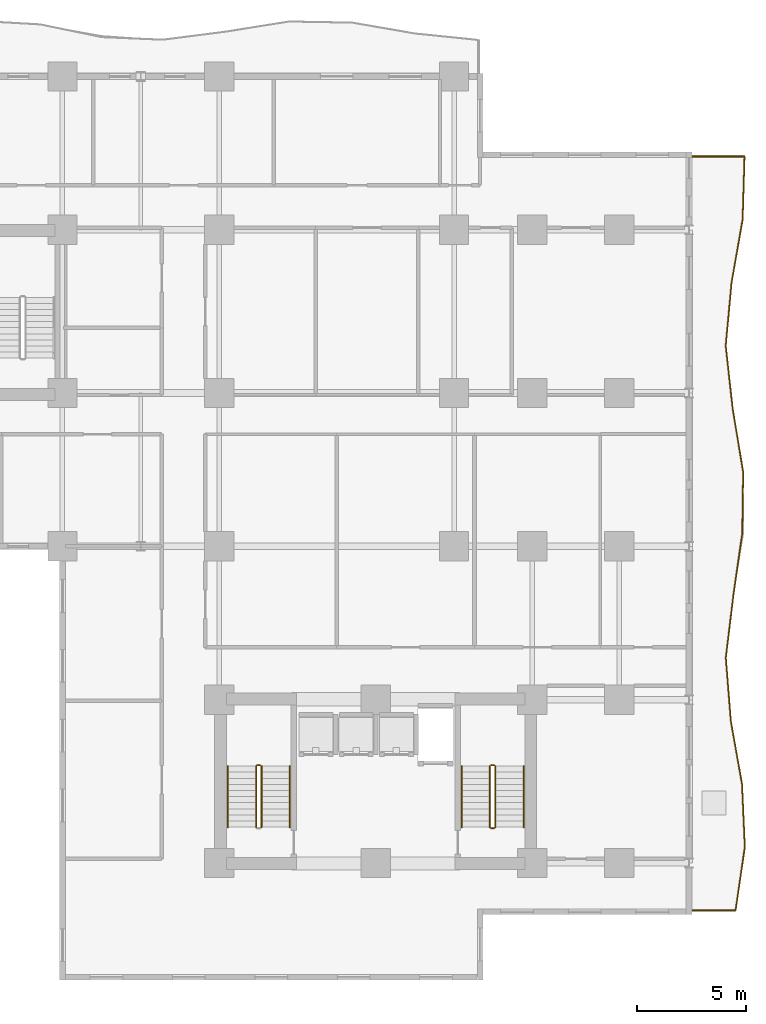
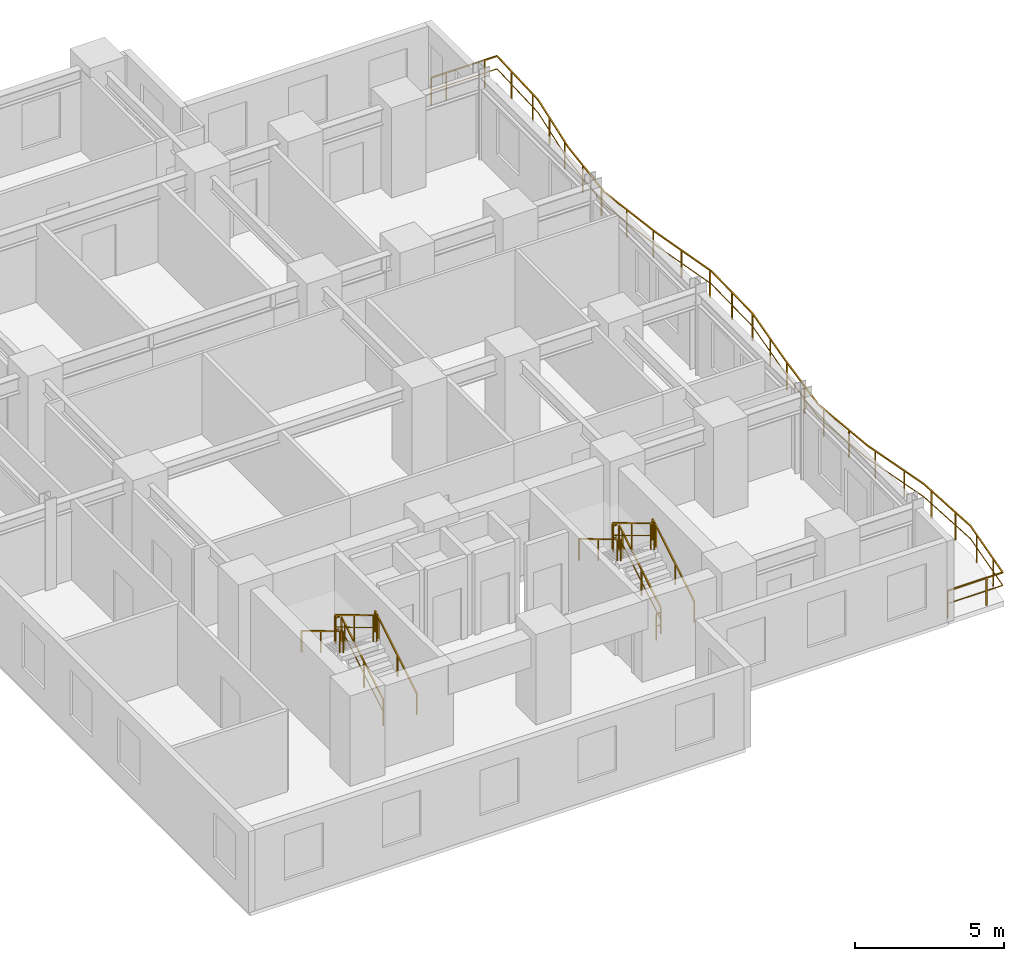
# One storey, part 10 of 12: 12 railings.
"""IFC4 building model written with IfcOpenShell, lengths in metres."""

import ifcopenshell
import ifcopenshell.guid

model = None  # the IFC model being written
_history = None  # IfcOwnerHistory: only IFC2X3 demands one
_inside = {}  # id of a spatial element -> (the spatial element, [elements in it])
_under = {}  # id of a project, library or spatial element -> (it, [spatial elements below it])
_declared = {}  # id of a project -> (the project, [libraries it declares])
_typed = {}  # id of a type object -> (the type object, [elements of that type])
_made_of = {}  # id of a material, layer set ... -> (it, [elements and type objects made of it])


def new_model(schema):
    """Start an empty IFC model of exactly this schema.

    Asked for "IFC4X3", IfcOpenShell would pick the latest addendum, in which some entities
    have other attributes; the version numbers below select the first issue.
    IFC2X3 requires an IfcOwnerHistory on every rooted entity: one is made here for all.
    """
    global model, _history
    if schema == "IFC4X3":
        model = ifcopenshell.file(schema_version=(4, 3, 0, 0))
    else:
        model = ifcopenshell.file(schema=schema)
    _inside.clear()
    _under.clear()
    _declared.clear()
    _typed.clear()
    _made_of.clear()
    _history = None
    if model.schema == "IFC2X3":
        org = make("IfcOrganization", Name="unknown")
        user = make(
            "IfcPersonAndOrganization",
            ThePerson=make("IfcPerson", FamilyName="unknown"),
            TheOrganization=org,
        )
        app = make(
            "IfcApplication",
            ApplicationDeveloper=org,
            Version="unknown",
            ApplicationFullName="unknown",
            ApplicationIdentifier="unknown",
        )
        _history = make(
            "IfcOwnerHistory",
            OwningUser=user,
            OwningApplication=app,
            ChangeAction="ADDED",
            CreationDate=0,
        )
    return model


def make(cls, **values):
    """One entity of the class cls with the attributes given. An attribute that is None is left unset."""
    return model.create_entity(
        cls, **{name: value for name, value in values.items() if value is not None}
    )


def rooted(cls, **values):
    """An entity with a GlobalId (a new one), such as an element, a storey or a relation."""
    return make(cls, GlobalId=ifcopenshell.guid.new(), OwnerHistory=_history, **values)


def si_unit(unit_type, name, prefix=None):
    """IfcSIUnit, for example si_unit("LENGTHUNIT", "METRE", prefix="MILLI")."""
    return make("IfcSIUnit", UnitType=unit_type, Prefix=prefix, Name=name)


def assignment(units):
    """IfcUnitAssignment: the units of a project."""
    return None if units is None else make("IfcUnitAssignment", Units=units)


def point(xyz):
    """IfcCartesianPoint."""
    return None if xyz is None else make("IfcCartesianPoint", Coordinates=xyz)


def direction(xyz):
    """IfcDirection."""
    return None if xyz is None else make("IfcDirection", DirectionRatios=xyz)


def frame(location, z_axis=None, x_axis=None):
    """IfcAxis2Placement3D, a coordinate frame: its origin and axes. An axis left out is left unset."""
    return make(
        "IfcAxis2Placement3D",
        Location=point(location),
        Axis=direction(z_axis),
        RefDirection=direction(x_axis),
    )


def frame_2d(location, x_axis=None):
    """IfcAxis2Placement2D, a coordinate frame in the plane: its origin and x axis."""
    return make(
        "IfcAxis2Placement2D", Location=point(location), RefDirection=direction(x_axis)
    )


def origin():
    """The frame at (0, 0, 0) with its axes left unset."""
    return frame((0.0, 0.0, 0.0))


def origin_2d():
    """The frame at (0, 0) in the plane with its x axis left unset."""
    return frame_2d((0.0, 0.0))


def place(relative_to, where):
    """IfcLocalPlacement: puts the frame where relative to a parent placement (None: the world)."""
    return make(
        "IfcLocalPlacement", PlacementRelTo=relative_to, RelativePlacement=where
    )


def context(
    kind, dimensions, precision=None, world=None, true_north=None, identifier=None
):
    """IfcGeometricRepresentationContext, for example the 3D "Model" context."""
    return make(
        "IfcGeometricRepresentationContext",
        ContextIdentifier=identifier,
        ContextType=kind,
        CoordinateSpaceDimension=dimensions,
        Precision=precision,
        WorldCoordinateSystem=world,
        TrueNorth=true_north,
    )


def subcontext(parent, identifier, kind, view, scale=None):
    """IfcGeometricRepresentationSubContext, for example "Body" below "Model"."""
    return make(
        "IfcGeometricRepresentationSubContext",
        ContextIdentifier=identifier,
        ContextType=kind,
        ParentContext=parent,
        TargetScale=scale,
        TargetView=view,
    )


def project(units=None, contexts=None):
    """IfcProject with its units and contexts."""
    return rooted(
        "IfcProject",
        Name="project",
        RepresentationContexts=contexts,
        UnitsInContext=assignment(units),
    )


def spatial(cls, under=None, at=None, **own):
    """A site, building, storey or space (cls), placed at a placement, below another one or the project."""
    s = rooted(cls, ObjectPlacement=at, **own)
    if under is not None:
        _under.setdefault(under.id(), (under, []))[1].append(s)
    return s


def profile(cls, at=None, kind="AREA", **sizes):
    """A parametric profile (cls). Its sizes go by their IFC names, for example OverallWidth=200.0."""
    return make(cls, ProfileType=kind, Position=at, **sizes)


def rectangle(**sizes):
    """IfcRectangleProfileDef."""
    return profile("IfcRectangleProfileDef", **sizes)


def extrude(swept, where, along, depth):
    """IfcExtrudedAreaSolid: the profile swept, set in the frame where, extruded along a direction by depth."""
    return make(
        "IfcExtrudedAreaSolid",
        SweptArea=swept,
        Position=where,
        ExtrudedDirection=direction(along),
        Depth=depth,
    )


def shape(context_of_items, identifier, shape_type, items):
    """IfcShapeRepresentation: the items that make up one representation, for example the "Body"."""
    return make(
        "IfcShapeRepresentation",
        ContextOfItems=context_of_items,
        RepresentationIdentifier=identifier,
        RepresentationType=shape_type,
        Items=items,
    )


def material(Name=None, Category=None):
    """IfcMaterial."""
    return make("IfcMaterial", Name=Name, Category=Category)


def made_of(thing, what):
    """Note that an element or type object is made of a material, layer set ...; save() writes the relation."""
    if what is not None:
        _made_of.setdefault(what.id(), (what, []))[1].append(thing)
    return thing


def type_object(cls, material=None, **own):
    """A type object (cls), such as IfcWallType, which elements share."""
    return made_of(rooted(cls, **own), material)


def element(
    cls,
    number,
    at=None,
    inside=None,
    cuts=None,
    type_object=None,
    material=None,
    context=None,
    identifier="Body",
    shape_type=None,
    held_by="IfcProductDefinitionShape",
    body=None,
    shapes=None,
    **own,
):
    """One element of the class cls, such as IfcWall. Its Tag is "e" and its number.

    at: its placement. inside: the storey or other place that contains it. cuts: it is an
    opening in that element (IfcRelVoidsElement). A single representation is given by context,
    identifier, shape_type and body (its items); several are given by shapes. held_by: the class
    of the entity that holds the representations. save() writes the other relations.
    """
    e = rooted(cls, Tag="e%d" % number, ObjectPlacement=at, **own)
    if body is not None:
        shapes = [shape(context, identifier, shape_type, body)]
    if shapes is not None:
        e.Representation = make(held_by, Representations=shapes)
    if inside is not None:
        _inside.setdefault(inside.id(), (inside, []))[1].append(e)
    if cuts is not None:
        rooted(
            "IfcRelVoidsElement", RelatingBuildingElement=cuts, RelatedOpeningElement=e
        )
    if type_object is not None:
        _typed.setdefault(type_object.id(), (type_object, []))[1].append(e)
    return made_of(e, material)


def aggregate(whole, parts):
    """IfcRelAggregates: a whole, such as a stair, and the parts it consists of."""
    return rooted("IfcRelAggregates", RelatingObject=whole, RelatedObjects=parts)


def save(model, path):
    """Write the relations noted so far, then the file.

    IfcRelAggregates (storeys below a building ...), IfcRelContainedInSpatialStructure (elements
    in a storey), IfcRelDefinesByType, IfcRelAssociatesMaterial and IfcRelDeclares: one each for
    every whole, place, type object, material and project.
    """
    for whole, parts in _under.values():
        aggregate(whole, parts)
    for where, things in _inside.values():
        rooted(
            "IfcRelContainedInSpatialStructure",
            RelatedElements=things,
            RelatingStructure=where,
        )
    for kind, things in _typed.values():
        rooted("IfcRelDefinesByType", RelatedObjects=things, RelatingType=kind)
    for what, things in _made_of.values():
        rooted("IfcRelAssociatesMaterial", RelatedObjects=things, RelatingMaterial=what)
    for by, libraries in _declared.values():
        rooted("IfcRelDeclares", RelatingContext=by, RelatedDefinitions=libraries)
    model.write(path)


model = new_model("IFC4")

# Units and contexts
model_context = context("Model", 3, precision=1e-05, world=origin(), true_north=direction((0.0, 1.0)))
body_context = subcontext(model_context, "Body", "Model", "MODEL_VIEW")
ifc_project = project(units=[si_unit("LENGTHUNIT", "METRE"), si_unit("AREAUNIT", "SQUARE_METRE"), si_unit("VOLUMEUNIT", "CUBIC_METRE"), si_unit("PLANEANGLEUNIT", "RADIAN"), si_unit("MASSUNIT", "GRAM", prefix="KILO")], contexts=[model_context])

# Site, building, storey
site_placement = place(None, origin())
site = spatial("IfcSite", under=ifc_project, at=site_placement, CompositionType="ELEMENT")
building_placement = place(site_placement, origin())
building = spatial("IfcBuilding", under=site, at=building_placement, Name="Kaliganga Portal Commons", CompositionType="ELEMENT")
storey_placement = place(building_placement, frame((0.0, 0.0, 69.699951171875)))
storey = spatial("IfcBuildingStorey", under=building, at=storey_placement, Name="L17", CompositionType="ELEMENT", Elevation=69.699951171875)

# Railings
ifc_material_1 = material(Name="Laminated Safety Glass and Stainless Steel 316", Category="steel")
railing_type_1 = type_object("IfcRailingType", Name="RLG-BAL-1150", PredefinedType="BALUSTRADE", material=ifc_material_1)
railing_1_placement = place(storey_placement, frame((57.608642578125, 4.87939453125, 0.0)))
element("IfcRailing", 1, at=railing_1_placement, inside=storey, type_object=railing_type_1, Name="Balcony Guardrail L17 balc_east", PredefinedType="BALUSTRADE", context=body_context, shape_type="SweptSolid", body=[
    extrude(rectangle(XDim=0.048095703125, YDim=0.048095703125, at=origin_2d()), frame((0.0, 0.0, 1.1259765625), z_axis=(0.999999973812, 0.000228859131, 0.0), x_axis=(-0.000228859131, 0.999999973812, 0.0)), (0.0, 0.0, 1.0), 2.133544921875),
    extrude(rectangle(XDim=0.028076171875, YDim=0.028076171875, at=origin_2d()), frame((0.0, 0.0, 0.597900390625), z_axis=(0.999999973812, 0.000228859131, 0.0), x_axis=(-0.000228859131, 0.999999973812, 0.0)), (0.0, 0.0, 1.0), 2.133544921875),
    extrude(rectangle(XDim=0.048095703125, YDim=0.048095703125, at=origin_2d()), frame((2.133544921875, 0.00048828125, 1.1259765625), z_axis=(0.145187032226, 0.989404227641, 0.0), x_axis=(-0.989404227641, 0.145187032226, 0.0)), (0.0, 0.0, 1.0), 2.930908203125),
    extrude(rectangle(XDim=0.028076171875, YDim=0.028076171875, at=origin_2d()), frame((2.133544921875, 0.00048828125, 0.597900390625), z_axis=(0.145187032226, 0.989404227641, 0.0), x_axis=(-0.989404227641, 0.145187032226, 0.0)), (0.0, 0.0, 1.0), 2.930908203125),
    extrude(rectangle(XDim=0.048095703125, YDim=0.048095703125, at=origin_2d()), frame((2.55908203125, 2.900390625, 1.1259765625), z_axis=(-0.044656139695, 0.999002417008, 0.0), x_axis=(-0.999002417008, -0.044656139695, 0.0)), (0.0, 0.0, 1.0), 2.903076171875),
    extrude(rectangle(XDim=0.028076171875, YDim=0.028076171875, at=origin_2d()), frame((2.55908203125, 2.900390625, 0.597900390625), z_axis=(-0.044656139695, 0.999002417008, 0.0), x_axis=(-0.999002417008, -0.044656139695, 0.0)), (0.0, 0.0, 1.0), 2.903076171875),
    extrude(rectangle(XDim=0.048095703125, YDim=0.048095703125, at=origin_2d()), frame((2.429443359375, 5.800537109375, 1.1259765625), z_axis=(-0.174886925455, 0.98458852487, 0.0), x_axis=(-0.98458852487, -0.174886925455, 0.0)), (0.0, 0.0, 1.0), 2.945556640625),
    extrude(rectangle(XDim=0.028076171875, YDim=0.028076171875, at=origin_2d()), frame((2.429443359375, 5.800537109375, 0.597900390625), z_axis=(-0.174886925455, 0.98458852487, 0.0), x_axis=(-0.98458852487, -0.174886925455, 0.0)), (0.0, 0.0, 1.0), 2.945556640625),
    extrude(rectangle(XDim=0.048095703125, YDim=0.048095703125, at=origin_2d()), frame((1.914306640625, 8.70068359375, 1.1259765625), z_axis=(-0.078641026256, 0.996902998786, 0.0), x_axis=(-0.996902998786, -0.078641026256, 0.0)), (0.0, 0.0, 1.0), 2.908935546875),
    extrude(rectangle(XDim=0.028076171875, YDim=0.028076171875, at=origin_2d()), frame((1.914306640625, 8.70068359375, 0.597900390625), z_axis=(-0.078641026256, 0.996902998786, 0.0), x_axis=(-0.996902998786, -0.078641026256, 0.0)), (0.0, 0.0, 1.0), 2.908935546875),
    extrude(rectangle(XDim=0.048095703125, YDim=0.048095703125, at=origin_2d()), frame((1.685546875, 11.6005859375, 1.1259765625), z_axis=(0.119857090136, 0.992791155251, 0.0), x_axis=(-0.992791155251, 0.119857090136, 0.0)), (0.0, 0.0, 1.0), 2.9208984375),
    extrude(rectangle(XDim=0.028076171875, YDim=0.028076171875, at=origin_2d()), frame((1.685546875, 11.6005859375, 0.597900390625), z_axis=(0.119857090136, 0.992791155251, 0.0), x_axis=(-0.992791155251, 0.119857090136, 0.0)), (0.0, 0.0, 1.0), 2.9208984375),
    extrude(rectangle(XDim=0.048095703125, YDim=0.048095703125, at=origin_2d()), frame((2.03564453125, 14.50048828125, 1.1259765625), z_axis=(0.141997205102, 0.989867058621, 0.0), x_axis=(-0.989867058621, 0.141997205102, 0.0)), (0.0, 0.0, 1.0), 2.848876953125),
    extrude(rectangle(XDim=0.028076171875, YDim=0.028076171875, at=origin_2d()), frame((2.03564453125, 14.50048828125, 0.597900390625), z_axis=(0.141997205102, 0.989867058621, 0.0), x_axis=(-0.989867058621, 0.141997205102, 0.0)), (0.0, 0.0, 1.0), 2.848876953125),
    extrude(rectangle(XDim=0.048095703125, YDim=0.048095703125, at=origin_2d()), frame((2.440185546875, 17.320556640625, 1.1259765625), z_axis=(0.014879819845, 0.999889289352, 0.0), x_axis=(-0.999889289352, 0.014879819845, 0.0)), (0.0, 0.0, 1.0), 2.822021484375),
    extrude(rectangle(XDim=0.028076171875, YDim=0.028076171875, at=origin_2d()), frame((2.440185546875, 17.320556640625, 0.597900390625), z_axis=(0.014879819845, 0.999889289352, 0.0), x_axis=(-0.999889289352, 0.014879819845, 0.0)), (0.0, 0.0, 1.0), 2.822021484375),
    extrude(rectangle(XDim=0.048095703125, YDim=0.048095703125, at=origin_2d()), frame((2.482177734375, 20.142333984375, 1.1259765625), z_axis=(-0.163792541792, 0.986494806501, 0.0), x_axis=(-0.986494806501, -0.163792541792, 0.0)), (0.0, 0.0, 1.0), 2.93798828125),
    extrude(rectangle(XDim=0.028076171875, YDim=0.028076171875, at=origin_2d()), frame((2.482177734375, 20.142333984375, 0.597900390625), z_axis=(-0.163792541792, 0.986494806501, 0.0), x_axis=(-0.986494806501, -0.163792541792, 0.0)), (0.0, 0.0, 1.0), 2.93798828125),
    extrude(rectangle(XDim=0.048095703125, YDim=0.048095703125, at=origin_2d()), frame((2.0009765625, 23.04052734375, 1.1259765625), z_axis=(-0.109779462263, 0.993955969681, 0.0), x_axis=(-0.993955969681, -0.109779462263, 0.0)), (0.0, 0.0, 1.0), 2.917724609375),
    extrude(rectangle(XDim=0.028076171875, YDim=0.028076171875, at=origin_2d()), frame((2.0009765625, 23.04052734375, 0.597900390625), z_axis=(-0.109779462263, 0.993955969681, 0.0), x_axis=(-0.993955969681, -0.109779462263, 0.0)), (0.0, 0.0, 1.0), 2.917724609375),
    extrude(rectangle(XDim=0.048095703125, YDim=0.048095703125, at=origin_2d()), frame((1.6806640625, 25.940673828125, 1.1259765625), z_axis=(0.091964240973, 0.995762310184, 0.0), x_axis=(-0.995762310184, 0.091964240973, 0.0)), (0.0, 0.0, 1.0), 2.912353515625),
    extrude(rectangle(XDim=0.028076171875, YDim=0.028076171875, at=origin_2d()), frame((1.6806640625, 25.940673828125, 0.597900390625), z_axis=(0.091964240973, 0.995762310184, 0.0), x_axis=(-0.995762310184, 0.091964240973, 0.0)), (0.0, 0.0, 1.0), 2.912353515625),
    extrude(rectangle(XDim=0.048095703125, YDim=0.048095703125, at=origin_2d()), frame((1.948486328125, 28.840576171875, 1.1259765625), z_axis=(0.17295752884, 0.984929283359, 0.0), x_axis=(-0.984929283359, 0.17295752884, 0.0)), (0.0, 0.0, 1.0), 2.944580078125),
    extrude(rectangle(XDim=0.028076171875, YDim=0.028076171875, at=origin_2d()), frame((1.948486328125, 28.840576171875, 0.597900390625), z_axis=(0.17295752884, 0.984929283359, 0.0), x_axis=(-0.984929283359, 0.17295752884, 0.0)), (0.0, 0.0, 1.0), 2.944580078125),
    extrude(rectangle(XDim=0.048095703125, YDim=0.048095703125, at=origin_2d()), frame((2.457763671875, 31.74072265625, 1.1259765625), z_axis=(0.030041998949, 0.999548637285, 0.0), x_axis=(-0.999548637285, 0.030041998949, 0.0)), (0.0, 0.0, 1.0), 2.901123046875),
    extrude(rectangle(XDim=0.028076171875, YDim=0.028076171875, at=origin_2d()), frame((2.457763671875, 31.74072265625, 0.597900390625), z_axis=(0.030041998949, 0.999548637285, 0.0), x_axis=(-0.999548637285, 0.030041998949, 0.0)), (0.0, 0.0, 1.0), 2.901123046875),
    extrude(rectangle(XDim=0.048095703125, YDim=0.048095703125, at=origin_2d()), frame((2.544921875, 34.640625, 1.1259765625), z_axis=(-0.999999981594, 0.000191864924, 0.0), x_axis=(-0.000191864924, -0.999999981594, 0.0)), (0.0, 0.0, 1.0), 2.544921875),
    extrude(rectangle(XDim=0.028076171875, YDim=0.028076171875, at=origin_2d()), frame((2.544921875, 34.640625, 0.597900390625), z_axis=(-0.999999981594, 0.000191864924, 0.0), x_axis=(-0.000191864924, -0.999999981594, 0.0)), (0.0, 0.0, 1.0), 2.544921875),
    extrude(rectangle(XDim=0.0419921875, YDim=0.0419921875, at=origin_2d()), origin(), (0.0, 0.0, 1.0), 1.101806640625),
    extrude(rectangle(XDim=0.0419921875, YDim=0.0419921875, at=origin_2d()), frame((1.5, 0.000244140625, 0.0)), (0.0, 0.0, 1.0), 1.101806640625),
    extrude(rectangle(XDim=0.0419921875, YDim=0.0419921875, at=origin_2d()), frame((2.25927734375, 0.857666015625, 0.0)), (0.0, 0.0, 1.0), 1.101806640625),
    extrude(rectangle(XDim=0.0419921875, YDim=0.0419921875, at=origin_2d()), frame((2.47705078125, 2.341796875, 0.0)), (0.0, 0.0, 1.0), 1.101806640625),
    extrude(rectangle(XDim=0.0419921875, YDim=0.0419921875, at=origin_2d()), frame((2.517333984375, 3.8349609375, 0.0)), (0.0, 0.0, 1.0), 1.101806640625),
    extrude(rectangle(XDim=0.0419921875, YDim=0.0419921875, at=origin_2d()), frame((2.450439453125, 5.33349609375, 0.0)), (0.0, 0.0, 1.0), 1.101806640625),
    extrude(rectangle(XDim=0.0419921875, YDim=0.0419921875, at=origin_2d()), frame((2.248779296875, 6.817138671875, 0.0)), (0.0, 0.0, 1.0), 1.101806640625),
    extrude(rectangle(XDim=0.0419921875, YDim=0.0419921875, at=origin_2d()), frame((1.986572265625, 8.2939453125, 0.0)), (0.0, 0.0, 1.0), 1.101806640625),
    extrude(rectangle(XDim=0.0419921875, YDim=0.0419921875, at=origin_2d()), frame((1.828857421875, 9.7841796875, 0.0)), (0.0, 0.0, 1.0), 1.101806640625),
    extrude(rectangle(XDim=0.0419921875, YDim=0.0419921875, at=origin_2d()), frame((1.7109375, 11.279541015625, 0.0)), (0.0, 0.0, 1.0), 1.101806640625),
    extrude(rectangle(XDim=0.0419921875, YDim=0.0419921875, at=origin_2d()), frame((1.82666015625, 12.77001953125, 0.0)), (0.0, 0.0, 1.0), 1.101806640625),
    extrude(rectangle(XDim=0.0419921875, YDim=0.0419921875, at=origin_2d()), frame((2.006591796875, 14.25927734375, 0.0)), (0.0, 0.0, 1.0), 1.101806640625),
    extrude(rectangle(XDim=0.0419921875, YDim=0.0419921875, at=origin_2d()), frame((2.214111328125, 15.744873046875, 0.0)), (0.0, 0.0, 1.0), 1.101806640625),
    extrude(rectangle(XDim=0.0419921875, YDim=0.0419921875, at=origin_2d()), frame((2.440185546875, 17.320556640625, 0.0)), (0.0, 0.0, 1.0), 1.101806640625),
    extrude(rectangle(XDim=0.0419921875, YDim=0.0419921875, at=origin_2d()), frame((2.461181640625, 18.728515625, 0.0)), (0.0, 0.0, 1.0), 1.101806640625),
    extrude(rectangle(XDim=0.0419921875, YDim=0.0419921875, at=origin_2d()), frame((2.468017578125, 20.227294921875, 0.0)), (0.0, 0.0, 1.0), 1.101806640625),
    extrude(rectangle(XDim=0.0419921875, YDim=0.0419921875, at=origin_2d()), frame((2.222412109375, 21.70703125, 0.0)), (0.0, 0.0, 1.0), 1.101806640625),
    extrude(rectangle(XDim=0.0419921875, YDim=0.0419921875, at=origin_2d()), frame((1.984619140625, 23.187744140625, 0.0)), (0.0, 0.0, 1.0), 1.101806640625),
    extrude(rectangle(XDim=0.0419921875, YDim=0.0419921875, at=origin_2d()), frame((1.820068359375, 24.6787109375, 0.0)), (0.0, 0.0, 1.0), 1.101806640625),
    extrude(rectangle(XDim=0.0419921875, YDim=0.0419921875, at=origin_2d()), frame((1.701904296875, 26.170166015625, 0.0)), (0.0, 0.0, 1.0), 1.101806640625),
    extrude(rectangle(XDim=0.0419921875, YDim=0.0419921875, at=origin_2d()), frame((1.83984375, 27.663818359375, 0.0)), (0.0, 0.0, 1.0), 1.101806640625),
    extrude(rectangle(XDim=0.0419921875, YDim=0.0419921875, at=origin_2d()), frame((2.00341796875, 29.15380859375, 0.0)), (0.0, 0.0, 1.0), 1.101806640625),
    extrude(rectangle(XDim=0.0419921875, YDim=0.0419921875, at=origin_2d()), frame((2.262939453125, 30.63134765625, 0.0)), (0.0, 0.0, 1.0), 1.101806640625),
    extrude(rectangle(XDim=0.0419921875, YDim=0.0419921875, at=origin_2d()), frame((2.468994140625, 32.1142578125, 0.0)), (0.0, 0.0, 1.0), 1.101806640625),
    extrude(rectangle(XDim=0.0419921875, YDim=0.0419921875, at=origin_2d()), frame((2.51416015625, 33.613525390625, 0.0)), (0.0, 0.0, 1.0), 1.101806640625),
    extrude(rectangle(XDim=0.0419921875, YDim=0.0419921875, at=origin_2d()), frame((2.072509765625, 34.640625, 0.0)), (0.0, 0.0, 1.0), 1.101806640625),
    extrude(rectangle(XDim=0.0419921875, YDim=0.0419921875, at=origin_2d()), frame((0.572509765625, 34.64111328125, 0.0)), (0.0, 0.0, 1.0), 1.101806640625),
    extrude(rectangle(XDim=0.0419921875, YDim=0.0419921875, at=origin_2d()), frame((0.0, 34.64111328125, 0.0)), (0.0, 0.0, 1.0), 1.101806640625),
])
ifc_material_2 = material(Name="Galvanized Painted Steel Balustrade", Category="steel")
railing_type_2 = type_object("IfcRailingType", Name="RLG-STAIR-GRD", PredefinedType="GUARDRAIL", material=ifc_material_2)
railing_2_placement = place(storey_placement, frame((37.949951171875, 8.699951171875, 0.168212890625)))
element("IfcRailing", 2, at=railing_2_placement, inside=storey, type_object=railing_type_2, Name="L17 ST-B1 stair guard 1", PredefinedType="GUARDRAIL", context=body_context, shape_type="SweptSolid", body=[
    extrude(rectangle(XDim=0.048095703125, YDim=0.048095703125, at=origin_2d()), frame((0.0, 0.0, 1.072021484375), z_axis=(0.0, 0.857242210791, 0.514913383045), x_axis=(-1.0, 0.0, 0.0)), (0.0, 0.0, 1.0), 3.266357421875),
    extrude(rectangle(XDim=0.028076171875, YDim=0.028076171875, at=origin_2d()), frame((0.0, 0.0, 0.572021484375), z_axis=(0.0, 0.857242210791, 0.514913383045), x_axis=(-1.0, 0.0, 0.0)), (0.0, 0.0, 1.0), 3.266357421875),
    extrude(rectangle(XDim=0.0419921875, YDim=0.0419921875, at=origin_2d()), origin(), (0.0, 0.0, 1.0), 1.052001953125),
    extrude(rectangle(XDim=0.0419921875, YDim=0.0419921875, at=origin_2d()), frame((0.0, 1.285888671875, 0.7724609375)), (0.0, 0.0, 1.0), 1.052001953125),
    extrude(rectangle(XDim=0.0419921875, YDim=0.0419921875, at=origin_2d()), frame((0.0, 2.57177734375, 1.544677734375)), (0.0, 0.0, 1.0), 1.052001953125),
    extrude(rectangle(XDim=0.0419921875, YDim=0.0419921875, at=origin_2d()), frame((0.0, 2.800048828125, 1.681884765625)), (0.0, 0.0, 1.0), 1.052001953125),
])
railing_3_placement = place(storey_placement, frame((37.89990234375, 11.550048828125, 1.85009765625)))
element("IfcRailing", 3, at=railing_3_placement, inside=storey, type_object=railing_type_2, Name="L17 ST-B1 stair guard 2", PredefinedType="GUARDRAIL", context=body_context, shape_type="SweptSolid", body=[
    extrude(rectangle(XDim=0.048095703125, YDim=0.048095703125, at=origin_2d()), frame((0.0, 0.0, 1.076171875), z_axis=(-1.0, 0.0, 0.0), x_axis=(0.0, -1.0, 0.0)), (0.0, 0.0, 1.0), 0.14990234375),
    extrude(rectangle(XDim=0.028076171875, YDim=0.028076171875, at=origin_2d()), frame((0.0, 0.0, 0.572021484375), z_axis=(-1.0, 0.0, 0.0), x_axis=(0.0, -1.0, 0.0)), (0.0, 0.0, 1.0), 0.14990234375),
    extrude(rectangle(XDim=0.0419921875, YDim=0.0419921875, at=origin_2d()), frame((-0.14990234375, 0.0, 0.0)), (0.0, 0.0, 1.0), 1.052001953125),
])
railing_4_placement = place(storey_placement, frame((37.699951171875, 11.5, 2.018310546875)))
element("IfcRailing", 4, at=railing_4_placement, inside=storey, type_object=railing_type_2, Name="L17 ST-B1 stair guard 3", PredefinedType="GUARDRAIL", context=body_context, shape_type="SweptSolid", body=[
    extrude(rectangle(XDim=0.048095703125, YDim=0.048095703125, at=origin_2d()), frame((0.0, 0.0, 1.072021484375), z_axis=(0.0, -0.857275202839, 0.514858452973), x_axis=(1.0, 0.0, 0.0)), (0.0, 0.0, 1.0), 3.26611328125),
    extrude(rectangle(XDim=0.028076171875, YDim=0.028076171875, at=origin_2d()), frame((0.0, 0.0, 0.572021484375), z_axis=(0.0, -0.857275202839, 0.514858452973), x_axis=(1.0, 0.0, 0.0)), (0.0, 0.0, 1.0), 3.26611328125),
    extrude(rectangle(XDim=0.0419921875, YDim=0.0419921875, at=origin_2d()), origin(), (0.0, 0.0, 1.0), 1.052001953125),
    extrude(rectangle(XDim=0.0419921875, YDim=0.0419921875, at=origin_2d()), frame((0.0, -1.285888671875, 0.772216796875)), (0.0, 0.0, 1.0), 1.052001953125),
    extrude(rectangle(XDim=0.0419921875, YDim=0.0419921875, at=origin_2d()), frame((0.0, -2.57177734375, 1.544677734375)), (0.0, 0.0, 1.0), 1.052001953125),
    extrude(rectangle(XDim=0.0419921875, YDim=0.0419921875, at=origin_2d()), frame((0.0, -2.800048828125, 1.681640625)), (0.0, 0.0, 1.0), 1.052001953125),
])
railing_5_placement = place(storey_placement, frame((48.699951171875, 8.699951171875, 0.168212890625)))
element("IfcRailing", 5, at=railing_5_placement, inside=storey, type_object=railing_type_2, Name="L17 ST-B2 stair guard 1", PredefinedType="GUARDRAIL", context=body_context, shape_type="SweptSolid", body=[
    extrude(rectangle(XDim=0.048095703125, YDim=0.048095703125, at=origin_2d()), frame((0.0, 0.0, 1.072021484375), z_axis=(0.0, 0.857242210791, 0.514913383045), x_axis=(-1.0, 0.0, 0.0)), (0.0, 0.0, 1.0), 3.266357421875),
    extrude(rectangle(XDim=0.028076171875, YDim=0.028076171875, at=origin_2d()), frame((0.0, 0.0, 0.572021484375), z_axis=(0.0, 0.857242210791, 0.514913383045), x_axis=(-1.0, 0.0, 0.0)), (0.0, 0.0, 1.0), 3.266357421875),
    extrude(rectangle(XDim=0.0419921875, YDim=0.0419921875, at=origin_2d()), origin(), (0.0, 0.0, 1.0), 1.052001953125),
    extrude(rectangle(XDim=0.0419921875, YDim=0.0419921875, at=origin_2d()), frame((0.0, 1.285888671875, 0.7724609375)), (0.0, 0.0, 1.0), 1.052001953125),
    extrude(rectangle(XDim=0.0419921875, YDim=0.0419921875, at=origin_2d()), frame((0.0, 2.57177734375, 1.544677734375)), (0.0, 0.0, 1.0), 1.052001953125),
    extrude(rectangle(XDim=0.0419921875, YDim=0.0419921875, at=origin_2d()), frame((0.0, 2.800048828125, 1.681884765625)), (0.0, 0.0, 1.0), 1.052001953125),
])
railing_6_placement = place(storey_placement, frame((48.64990234375, 11.550048828125, 1.85009765625)))
element("IfcRailing", 6, at=railing_6_placement, inside=storey, type_object=railing_type_2, Name="L17 ST-B2 stair guard 2", PredefinedType="GUARDRAIL", context=body_context, shape_type="SweptSolid", body=[
    extrude(rectangle(XDim=0.048095703125, YDim=0.048095703125, at=origin_2d()), frame((0.0, 0.0, 1.076171875), z_axis=(-1.0, 0.0, 0.0), x_axis=(0.0, -1.0, 0.0)), (0.0, 0.0, 1.0), 0.14990234375),
    extrude(rectangle(XDim=0.028076171875, YDim=0.028076171875, at=origin_2d()), frame((0.0, 0.0, 0.572021484375), z_axis=(-1.0, 0.0, 0.0), x_axis=(0.0, -1.0, 0.0)), (0.0, 0.0, 1.0), 0.14990234375),
    extrude(rectangle(XDim=0.0419921875, YDim=0.0419921875, at=origin_2d()), frame((-0.14990234375, 0.0, 0.0)), (0.0, 0.0, 1.0), 1.052001953125),
])
railing_7_placement = place(storey_placement, frame((48.449951171875, 11.5, 2.018310546875)))
element("IfcRailing", 7, at=railing_7_placement, inside=storey, type_object=railing_type_2, Name="L17 ST-B2 stair guard 3", PredefinedType="GUARDRAIL", context=body_context, shape_type="SweptSolid", body=[
    extrude(rectangle(XDim=0.048095703125, YDim=0.048095703125, at=origin_2d()), frame((0.0, 0.0, 1.072021484375), z_axis=(0.0, -0.857275202839, 0.514858452973), x_axis=(1.0, 0.0, 0.0)), (0.0, 0.0, 1.0), 3.26611328125),
    extrude(rectangle(XDim=0.028076171875, YDim=0.028076171875, at=origin_2d()), frame((0.0, 0.0, 0.572021484375), z_axis=(0.0, -0.857275202839, 0.514858452973), x_axis=(1.0, 0.0, 0.0)), (0.0, 0.0, 1.0), 3.26611328125),
    extrude(rectangle(XDim=0.0419921875, YDim=0.0419921875, at=origin_2d()), origin(), (0.0, 0.0, 1.0), 1.052001953125),
    extrude(rectangle(XDim=0.0419921875, YDim=0.0419921875, at=origin_2d()), frame((0.0, -1.285888671875, 0.772216796875)), (0.0, 0.0, 1.0), 1.052001953125),
    extrude(rectangle(XDim=0.0419921875, YDim=0.0419921875, at=origin_2d()), frame((0.0, -2.57177734375, 1.544677734375)), (0.0, 0.0, 1.0), 1.052001953125),
    extrude(rectangle(XDim=0.0419921875, YDim=0.0419921875, at=origin_2d()), frame((0.0, -2.800048828125, 1.681640625)), (0.0, 0.0, 1.0), 1.052001953125),
])
railing_8_placement = place(storey_placement, frame((48.64990234375, 8.64990234375, 0.0)))
element("IfcRailing", 8, at=railing_8_placement, inside=storey, type_object=railing_type_2, Name="L17 ST-B2 stair guard 4", PredefinedType="GUARDRAIL", context=body_context, shape_type="SweptSolid", body=[
    extrude(rectangle(XDim=0.048095703125, YDim=0.048095703125, at=origin_2d()), frame((0.0, 0.0, 1.076171875), z_axis=(-1.0, 0.0, 0.0), x_axis=(0.0, -1.0, 0.0)), (0.0, 0.0, 1.0), 0.14990234375),
    extrude(rectangle(XDim=0.028076171875, YDim=0.028076171875, at=origin_2d()), frame((0.0, 0.0, 0.572021484375), z_axis=(-1.0, 0.0, 0.0), x_axis=(0.0, -1.0, 0.0)), (0.0, 0.0, 1.0), 0.14990234375),
    extrude(rectangle(XDim=0.0419921875, YDim=0.0419921875, at=origin_2d()), frame((-0.14990234375, 0.0, 0.0)), (0.0, 0.0, 1.0), 1.052001953125),
])
ifc_material_3 = material(Name="Brushed Stainless Steel 316", Category="steel")
railing_type_3 = type_object("IfcRailingType", Name="RLG-STAIR-HR", PredefinedType="HANDRAIL", material=ifc_material_3)
railing_9_placement = place(storey_placement, frame((39.25, 8.699951171875, 0.168212890625)))
element("IfcRailing", 9, at=railing_9_placement, inside=storey, type_object=railing_type_3, Name="L17 ST-B1 stair handrail 1", PredefinedType="HANDRAIL", context=body_context, shape_type="SweptSolid", body=[
    extrude(rectangle(XDim=0.048095703125, YDim=0.048095703125, at=origin_2d()), frame((0.0, 0.0, 0.871826171875), z_axis=(0.0, 0.857242210791, 0.514913383045), x_axis=(-1.0, 0.0, 0.0)), (0.0, 0.0, 1.0), 3.266357421875),
    extrude(rectangle(XDim=0.0419921875, YDim=0.0419921875, at=origin_2d()), origin(), (0.0, 0.0, 1.0), 0.851806640625),
    extrude(rectangle(XDim=0.0419921875, YDim=0.0419921875, at=origin_2d()), frame((0.0, 1.285888671875, 0.7724609375)), (0.0, 0.0, 1.0), 0.851806640625),
    extrude(rectangle(XDim=0.0419921875, YDim=0.0419921875, at=origin_2d()), frame((0.0, 2.57177734375, 1.544677734375)), (0.0, 0.0, 1.0), 0.851806640625),
    extrude(rectangle(XDim=0.0419921875, YDim=0.0419921875, at=origin_2d()), frame((0.0, 2.800048828125, 1.681884765625)), (0.0, 0.0, 1.0), 0.851806640625),
])
railing_10_placement = place(storey_placement, frame((36.39990234375, 11.5, 2.018310546875)))
element("IfcRailing", 10, at=railing_10_placement, inside=storey, type_object=railing_type_3, Name="L17 ST-B1 stair handrail 2", PredefinedType="HANDRAIL", context=body_context, shape_type="SweptSolid", body=[
    extrude(rectangle(XDim=0.048095703125, YDim=0.048095703125, at=origin_2d()), frame((0.0, 0.0, 0.871826171875), z_axis=(0.0, -0.857275202839, 0.514858452973), x_axis=(1.0, 0.0, 0.0)), (0.0, 0.0, 1.0), 3.26611328125),
    extrude(rectangle(XDim=0.0419921875, YDim=0.0419921875, at=origin_2d()), origin(), (0.0, 0.0, 1.0), 0.851806640625),
    extrude(rectangle(XDim=0.0419921875, YDim=0.0419921875, at=origin_2d()), frame((0.0, -1.285888671875, 0.772216796875)), (0.0, 0.0, 1.0), 0.851806640625),
    extrude(rectangle(XDim=0.0419921875, YDim=0.0419921875, at=origin_2d()), frame((0.0, -2.57177734375, 1.544677734375)), (0.0, 0.0, 1.0), 0.851806640625),
    extrude(rectangle(XDim=0.0419921875, YDim=0.0419921875, at=origin_2d()), frame((0.0, -2.800048828125, 1.681640625)), (0.0, 0.0, 1.0), 0.851806640625),
])
railing_11_placement = place(storey_placement, frame((50.0, 8.699951171875, 0.168212890625)))
element("IfcRailing", 11, at=railing_11_placement, inside=storey, type_object=railing_type_3, Name="L17 ST-B2 stair handrail 1", PredefinedType="HANDRAIL", context=body_context, shape_type="SweptSolid", body=[
    extrude(rectangle(XDim=0.048095703125, YDim=0.048095703125, at=origin_2d()), frame((0.0, 0.0, 0.871826171875), z_axis=(0.0, 0.857242210791, 0.514913383045), x_axis=(-1.0, 0.0, 0.0)), (0.0, 0.0, 1.0), 3.266357421875),
    extrude(rectangle(XDim=0.0419921875, YDim=0.0419921875, at=origin_2d()), origin(), (0.0, 0.0, 1.0), 0.851806640625),
    extrude(rectangle(XDim=0.0419921875, YDim=0.0419921875, at=origin_2d()), frame((0.0, 1.285888671875, 0.7724609375)), (0.0, 0.0, 1.0), 0.851806640625),
    extrude(rectangle(XDim=0.0419921875, YDim=0.0419921875, at=origin_2d()), frame((0.0, 2.57177734375, 1.544677734375)), (0.0, 0.0, 1.0), 0.851806640625),
    extrude(rectangle(XDim=0.0419921875, YDim=0.0419921875, at=origin_2d()), frame((0.0, 2.800048828125, 1.681884765625)), (0.0, 0.0, 1.0), 0.851806640625),
])
railing_12_placement = place(storey_placement, frame((47.14990234375, 11.5, 2.018310546875)))
element("IfcRailing", 12, at=railing_12_placement, inside=storey, type_object=railing_type_3, Name="L17 ST-B2 stair handrail 2", PredefinedType="HANDRAIL", context=body_context, shape_type="SweptSolid", body=[
    extrude(rectangle(XDim=0.048095703125, YDim=0.048095703125, at=origin_2d()), frame((0.0, 0.0, 0.871826171875), z_axis=(0.0, -0.857275202839, 0.514858452973), x_axis=(1.0, 0.0, 0.0)), (0.0, 0.0, 1.0), 3.26611328125),
    extrude(rectangle(XDim=0.0419921875, YDim=0.0419921875, at=origin_2d()), origin(), (0.0, 0.0, 1.0), 0.851806640625),
    extrude(rectangle(XDim=0.0419921875, YDim=0.0419921875, at=origin_2d()), frame((0.0, -1.285888671875, 0.772216796875)), (0.0, 0.0, 1.0), 0.851806640625),
    extrude(rectangle(XDim=0.0419921875, YDim=0.0419921875, at=origin_2d()), frame((0.0, -2.57177734375, 1.544677734375)), (0.0, 0.0, 1.0), 0.851806640625),
    extrude(rectangle(XDim=0.0419921875, YDim=0.0419921875, at=origin_2d()), frame((0.0, -2.800048828125, 1.681640625)), (0.0, 0.0, 1.0), 0.851806640625),
])

save(model, "model.ifc")
